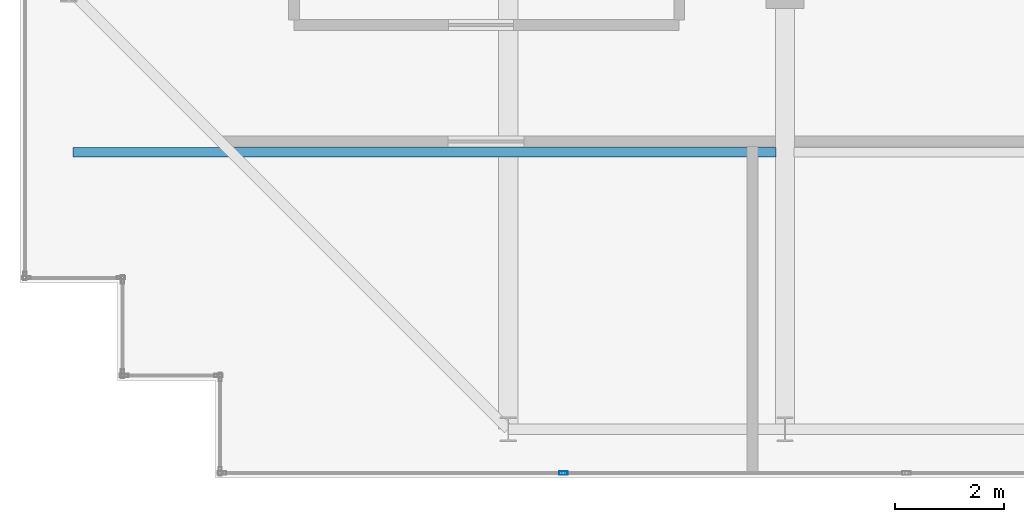
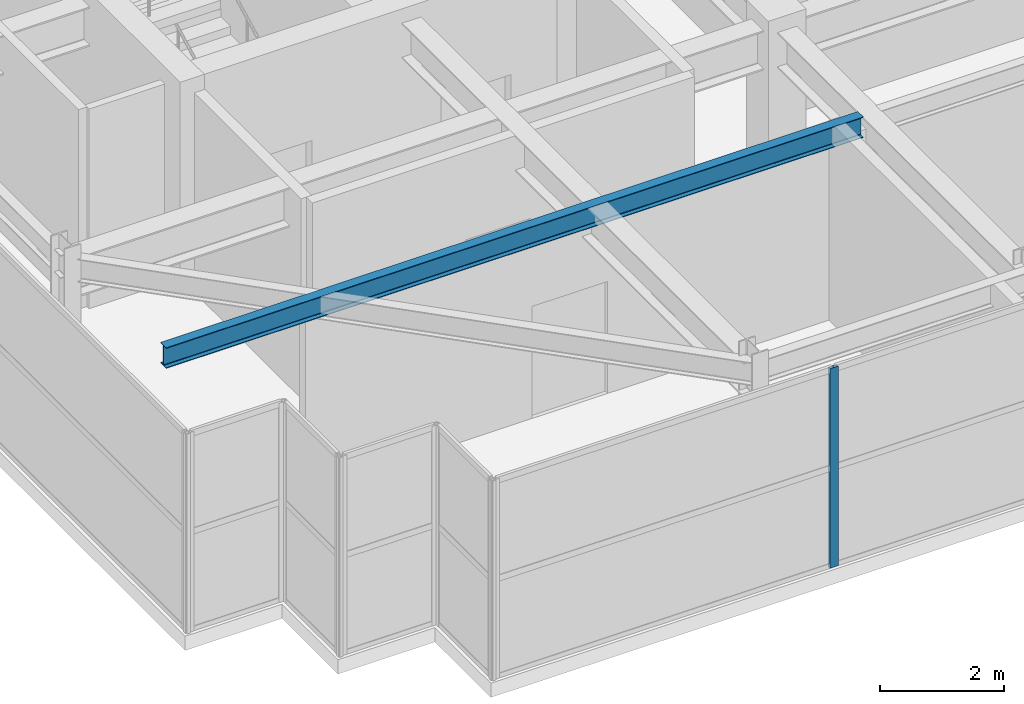
# One storey, part 3 of 32: 1 beam, 1 member, 1 element without a shape of its own.
"""IFC4 building model written with IfcOpenShell, lengths in metres."""

from ifc_helpers import new_model, si_unit, direction, frame, origin, origin_2d, place, context, subcontext, project, spatial, hollow_rectangle, i_section, extrude, source, transform, mapped, material, layer, layer_set, material_profile, profile_set, type_object, element, aggregate, save


model = new_model("IFC4")

# Units and contexts
model_context = context("Model", 3, precision=1e-05, world=origin(), true_north=direction((0.0, 1.0)))
body_context = subcontext(model_context, "Body", "Model", "MODEL_VIEW")
ifc_project = project(units=[si_unit("LENGTHUNIT", "METRE"), si_unit("AREAUNIT", "SQUARE_METRE"), si_unit("VOLUMEUNIT", "CUBIC_METRE"), si_unit("PLANEANGLEUNIT", "RADIAN"), si_unit("MASSUNIT", "GRAM", prefix="KILO")], contexts=[model_context])

# Site, building, storey
site_placement = place(None, origin())
site = spatial("IfcSite", under=ifc_project, at=site_placement, CompositionType="ELEMENT")
building_placement = place(site_placement, origin())
building = spatial("IfcBuilding", under=site, at=building_placement, Name="Khoralis Quay Care Tower", CompositionType="ELEMENT")
storey_placement = place(building_placement, frame((0.0, 0.0, 306.300048828125)))
storey = spatial("IfcBuildingStorey", under=building, at=storey_placement, Name="L80", CompositionType="ELEMENT", Elevation=306.300048828125)

# Beam
ifc_material_1 = material(Name="Steel S355", Category="steel")
ifc_material_profile_1 = material_profile(ifc_material_1, i_section(OverallWidth=0.177978515625, OverallDepth=0.406982421875, WebThickness=0.0078125, FlangeThickness=0.0126953125, FilletRadius=0.012939453125, at=origin_2d()), Name="Steel S355")
ifc_profile_set_1 = profile_set([ifc_material_profile_1], Name="Steel S355")
beam_type = type_object("IfcBeamType", Name="BM-W410X60", PredefinedType="JOIST", material=ifc_profile_set_1)
shared_shape_1 = source(origin(), body_context, "Body", "SweptSolid", [
    extrude(i_section(OverallWidth=0.177978515625, OverallDepth=0.406982421875, WebThickness=0.0078125, FlangeThickness=0.0126953125, FilletRadius=0.012939453125, at=origin_2d()), origin(), (0.0, 0.0, 1.0), 12.95361328125),
])
beam_placement = place(storey_placement, frame((3.98095703125, 9.0, 3.716552734375), z_axis=(1.0, 0.0, 0.0), x_axis=(0.0, 1.0, 0.0)))
element("IfcBeam", 1, at=beam_placement, inside=storey, type_object=beam_type, Name="BM-TJS-L80-21", PredefinedType="JOIST", context=body_context, shape_type="MappedRepresentation", body=[
    mapped(shared_shape_1, transform((0.0, 0.0, 0.0), scale=1.0)),
])

# Curtain wall, member
ifc_material_2 = material(Name="Pale anodised aluminium", Category="aluminium")
ifc_layer = layer(ifc_material_2, 0.199951171875)
ifc_layer_set = layer_set([ifc_layer], Name="Pale anodised aluminium")
curtain_wall_type = type_object("IfcCurtainWallType", Name="CW-SYS-LANTERN", PredefinedType="NOTDEFINED", material=ifc_layer_set)
curtain_wall_placement = place(storey_placement, origin())
curtain_wall = element("IfcCurtainWall", 2, at=curtain_wall_placement, inside=storey, type_object=curtain_wall_type, Name="L80 Unitised Curtain Wall CW-LN-L80-01", PredefinedType="NOTDEFINED")
ifc_material_profile_2 = material_profile(ifc_material_2, hollow_rectangle(XDim=0.06005859375, YDim=0.159912109375, WallThickness=0.00390625, at=origin_2d()), Name="Pale anodised aluminium")
ifc_profile_set_2 = profile_set([ifc_material_profile_2], Name="Pale anodised aluminium")
member_type = type_object("IfcMemberType", Name="CW-MUL-160", PredefinedType="MULLION", material=ifc_profile_set_2)
shared_shape_2 = source(origin(), body_context, "Body", "SweptSolid", [
    extrude(hollow_rectangle(XDim=0.06005859375, YDim=0.159912109375, WallThickness=0.00390625, at=origin_2d()), origin(), (0.0, 0.0, 1.0), 3.919921875),
])
member_placement = place(storey_placement, frame((13.013916015625, 3.090087890625, 0.0), z_axis=(0.0, 0.0, 1.0), x_axis=(0.0, 1.0, 0.0)))
member = element("IfcMember", 3, at=member_placement, type_object=member_type, Name="CW5 mullion 2", PredefinedType="MULLION", context=body_context, shape_type="MappedRepresentation", body=[
    mapped(shared_shape_2, transform((0.0, 0.0, 0.0), scale=1.0)),
])
aggregate(curtain_wall, [member])

save(model, "model.ifc")
